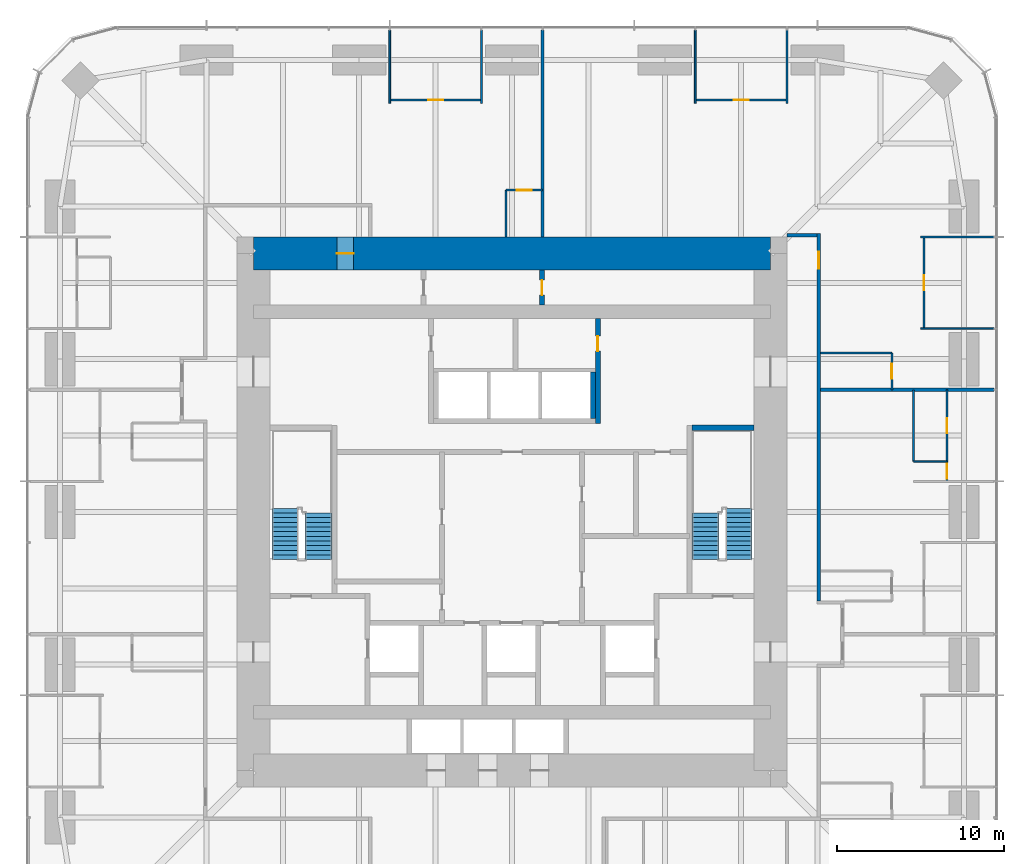
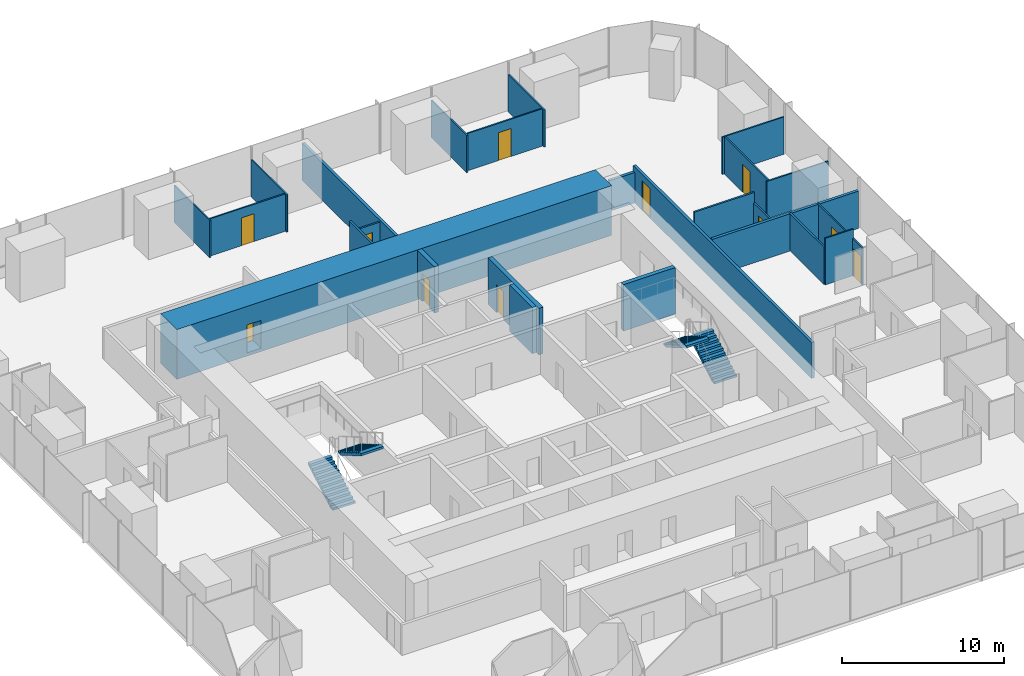
# One storey, part 12 of 13: 25 walls, 11 doors, 4 stair flights, 11 openings, 2 elements without a shape of their own.
"""IFC4 building model written with IfcOpenShell, lengths in metres."""

from ifc_helpers import new_model, si_unit, direction, frame, frame_2d, origin, place, context, subcontext, project, spatial, polyline, rectangle, outline, extrude, material, layer, layer_set, type_object, element, fill, aggregate, save


model = new_model("IFC4")

# Units and contexts
model_context = context("Model", 3, precision=1e-05, world=origin(), true_north=direction((0.0, 1.0)))
body_context = subcontext(model_context, "Body", "Model", "MODEL_VIEW")
ifc_project = project(units=[si_unit("LENGTHUNIT", "METRE"), si_unit("AREAUNIT", "SQUARE_METRE"), si_unit("VOLUMEUNIT", "CUBIC_METRE"), si_unit("PLANEANGLEUNIT", "RADIAN"), si_unit("MASSUNIT", "GRAM", prefix="KILO")], contexts=[model_context])

# Site, building, storey
site_placement = place(None, origin())
site = spatial("IfcSite", under=ifc_project, at=site_placement, CompositionType="ELEMENT")
building_placement = place(site_placement, origin())
building = spatial("IfcBuilding", under=site, at=building_placement, Name="Khuree Lantern Residences", CompositionType="ELEMENT")
storey_placement = place(building_placement, frame((0.0, 0.0, 122.25)))
storey = spatial("IfcBuildingStorey", under=building, at=storey_placement, Name="L30", CompositionType="ELEMENT", Elevation=122.25)

# Wall
ifc_material_1 = material(Name="Moisture-resistant gypsum board on steel studs", Category="steel")
ifc_layer_1 = layer(ifc_material_1, 0.125)
ifc_layer_set_1 = layer_set([ifc_layer_1], Name="BATHROOM WALL BTW125")
wall_type_1 = type_object("IfcWallType", Name="BATHROOM WALL BTW125", PredefinedType="PARTITIONING", material=ifc_layer_set_1)
wall_1_placement = place(storey_placement, frame((24.079833984375, 3.031982421875, 0.0), z_axis=(0.0, 0.0, 1.0), x_axis=(0.0, 1.0, 0.0)))
element("IfcWall", 1, at=wall_1_placement, inside=storey, type_object=wall_type_1, Name="L30 BATHROOM WALL 01", PredefinedType="PARTITIONING", context=body_context, shape_type="SweptSolid", body=[
    extrude(rectangle(XDim=4.2958984375, YDim=0.125, at=frame_2d((2.14794921875, 0.0))), origin(), (0.0, 0.0, 1.0), 2.81005859375),
])

# Wall, opening, door
wall_2_placement = place(storey_placement, frame((22.77978515625, 7.327880859375, 0.0), z_axis=(0.0, 0.0, 1.0), x_axis=(0.0, 1.0, 0.0)))
wall_2 = element("IfcWall", 2, at=wall_2_placement, inside=storey, type_object=wall_type_1, Name="L30 BATHROOM WALL 02", PredefinedType="PARTITIONING", context=body_context, shape_type="SweptSolid", body=[
    extrude(rectangle(XDim=2.2001953125, YDim=0.125, at=frame_2d((1.10009765625, 0.0))), origin(), (0.0, 0.0, 1.0), 2.699951171875),
])
opening_1_placement = place(wall_2_placement, frame((0.64990234375, 0.0, 0.0)))
opening_1 = element("IfcOpeningElement", 3, at=opening_1_placement, cuts=wall_2, Name="Opening 30-033", PredefinedType="OPENING", context=body_context, shape_type="SweptSolid", body=[
    extrude(rectangle(XDim=0.89990234375, YDim=2.10009765625, at=frame_2d((0.449951171875, 1.050048828125))), frame((0.0, 0.072509765625, 0.0), z_axis=(0.0, -1.0, 0.0), x_axis=(1.0, 0.0, 0.0)), (0.0, 0.0, 1.0), 0.14501953125),
])
ifc_material_2 = material(Name="Timber door leaf in hardwood frame", Category="wood")
door_type_1 = type_object("IfcDoorType", Name="BATHROOM DOOR 900X2100", OperationType="SINGLE_SWING_LEFT", PredefinedType="DOOR", material=ifc_material_2)
door_1_placement = place(opening_1_placement, origin())
door_1 = element("IfcDoor", 4, at=door_1_placement, inside=storey, type_object=door_type_1, Name="Bathroom door 30-033", OperationType="SINGLE_SWING_LEFT", OverallHeight=2.10009765625, OverallWidth=0.89990234375, PredefinedType="DOOR", context=body_context, shape_type="SweptSolid", body=[
    extrude(rectangle(XDim=0.89990234375, YDim=2.10009765625, at=frame_2d((0.449951171875, 1.050048828125))), frame((0.0, 0.02490234375, 0.0), z_axis=(0.0, -1.0, 0.0), x_axis=(1.0, 0.0, 0.0)), (0.0, 0.0, 1.0), 0.050048828125),
])
fill(opening_1, door_1)

# Wall
wall_3_placement = place(storey_placement, frame((18.5, 9.528076171875, 0.0), z_axis=(0.0, 0.0, 1.0), x_axis=(1.0, 0.0, 0.0)))
element("IfcWall", 5, at=wall_3_placement, inside=storey, type_object=wall_type_1, Name="L30 BATHROOM WALL 02", PredefinedType="PARTITIONING", context=body_context, shape_type="SweptSolid", body=[
    extrude(rectangle(XDim=4.27978515625, YDim=0.125, at=frame_2d((2.139892578125, 0.0))), origin(), (0.0, 0.0, 1.0), 3.5),
])

# Wall, opening, door
wall_4_placement = place(storey_placement, frame((1.83203125, 19.300048828125, 0.0), z_axis=(0.0, 0.0, 1.0), x_axis=(-1.0, 0.0, 0.0)))
wall_4 = element("IfcWall", 6, at=wall_4_placement, inside=storey, type_object=wall_type_1, Name="L30 BATHROOM WALL 03", PredefinedType="PARTITIONING", context=body_context, shape_type="SweptSolid", body=[
    extrude(rectangle(XDim=2.199951171875, YDim=0.125, at=frame_2d((1.10009765625, 0.0))), origin(), (0.0, 0.0, 1.0), 2.699951171875),
])
opening_2_placement = place(wall_4_placement, frame((0.64990234375, 0.0, 0.0)))
opening_2 = element("IfcOpeningElement", 7, at=opening_2_placement, cuts=wall_4, Name="Opening 30-038", PredefinedType="OPENING", context=body_context, shape_type="SweptSolid", body=[
    extrude(rectangle(XDim=0.89990234375, YDim=2.10009765625, at=frame_2d((0.449951171875, 1.050048828125))), frame((0.0, 0.072509765625, 0.0), z_axis=(0.0, -1.0, 0.0), x_axis=(1.0, 0.0, 0.0)), (0.0, 0.0, 1.0), 0.14501953125),
])
door_2_placement = place(opening_2_placement, origin())
door_2 = element("IfcDoor", 8, at=door_2_placement, inside=storey, type_object=door_type_1, Name="Bathroom door 30-038", OperationType="SINGLE_SWING_LEFT", OverallHeight=2.10009765625, OverallWidth=0.89990234375, PredefinedType="DOOR", context=body_context, shape_type="SweptSolid", body=[
    extrude(rectangle(XDim=0.89990234375, YDim=2.10009765625, at=frame_2d((0.449951171875, 1.050048828125))), frame((0.0, 0.02490234375, 0.0), z_axis=(0.0, -1.0, 0.0), x_axis=(1.0, 0.0, 0.0)), (0.0, 0.0, 1.0), 0.050048828125),
])
fill(opening_2, door_2)

# Walls
wall_5_placement = place(storey_placement, frame((-0.367919921875, 16.5, 0.0), z_axis=(0.0, 0.0, 1.0), x_axis=(0.0, 1.0, 0.0)))
element("IfcWall", 9, at=wall_5_placement, inside=storey, type_object=wall_type_1, Name="L30 BATHROOM WALL 03", PredefinedType="PARTITIONING", context=body_context, shape_type="SweptSolid", body=[
    extrude(rectangle(XDim=2.800048828125, YDim=0.125, at=frame_2d((1.39990234375, 0.0))), origin(), (0.0, 0.0, 1.0), 3.5),
])
ifc_material_3 = material(Name="Dense concrete blockwork", Category="masonry")
ifc_layer_2 = layer(ifc_material_3, 0.300048828125)
ifc_layer_set_2 = layer_set([ifc_layer_2], Name="CORE PARTITION WALL CPW300 EI 120")
wall_type_2 = type_object("IfcWallType", Name="CORE PARTITION WALL CPW300 EI 120", PredefinedType="PARTITIONING", material=ifc_layer_set_2)
wall_6_placement = place(storey_placement, frame((4.85009765625, 5.60009765625, 0.0), z_axis=(0.0, 0.0, 1.0), x_axis=(0.0, 1.0, 0.0)))
element("IfcWall", 10, at=wall_6_placement, inside=storey, type_object=wall_type_2, Name="L30 CORE WALL PHE", PredefinedType="PARTITIONING", context=body_context, shape_type="SweptSolid", body=[
    extrude(rectangle(XDim=2.7998046875, YDim=0.300048828125, at=frame_2d((1.39990234375, 0.0))), origin(), (0.0, 0.0, 1.0), 3.5),
])

# Wall, opening, door
wall_7_placement = place(storey_placement, frame((5.14990234375, 5.300048828125, 0.0), z_axis=(0.0, 0.0, 1.0), x_axis=(0.0, 1.0, 0.0)))
wall_7 = element("IfcWall", 11, at=wall_7_placement, inside=storey, type_object=wall_type_2, Name="L30 CORE WALL NE", PredefinedType="PARTITIONING", context=body_context, shape_type="SweptSolid", body=[
    extrude(rectangle(XDim=6.300048828125, YDim=0.300048828125, at=frame_2d((3.14990234375, 0.0))), origin(), (0.0, 0.0, 1.0), 3.5),
])
opening_3_placement = place(wall_7_placement, frame((4.35009765625, 0.0, 0.0)))
opening_3 = element("IfcOpeningElement", 12, at=opening_3_placement, cuts=wall_7, Name="Opening 30-022", PredefinedType="OPENING", context=body_context, shape_type="SweptSolid", body=[
    extrude(rectangle(XDim=0.89990234375, YDim=2.10009765625, at=frame_2d((0.449951171875, 1.050048828125))), frame((0.0, 0.16015625, 0.0), z_axis=(0.0, -1.0, 0.0), x_axis=(1.0, 0.0, 0.0)), (0.0, 0.0, 1.0), 0.320068359375),
])
door_type_2 = type_object("IfcDoorType", Name="DOOR 900X2100", OperationType="SINGLE_SWING_LEFT", PredefinedType="DOOR", material=ifc_material_2)
door_3_placement = place(opening_3_placement, origin())
door_3 = element("IfcDoor", 13, at=door_3_placement, inside=storey, type_object=door_type_2, Name="Housekeeping store door 30-022", OperationType="SINGLE_SWING_LEFT", OverallHeight=2.10009765625, OverallWidth=0.89990234375, PredefinedType="DOOR", context=body_context, shape_type="SweptSolid", body=[
    extrude(rectangle(XDim=0.89990234375, YDim=2.10009765625, at=frame_2d((0.449951171875, 1.050048828125))), frame((0.0, 0.02490234375, 0.0), z_axis=(0.0, -1.0, 0.0), x_axis=(1.0, 0.0, 0.0)), (0.0, 0.0, 1.0), 0.050048828125),
])
fill(opening_3, door_3)

wall_8_placement = place(storey_placement, frame((1.800048828125, 12.39990234375, 0.0), z_axis=(0.0, 0.0, 1.0), x_axis=(0.0, 1.0, 0.0)))
wall_8 = element("IfcWall", 14, at=wall_8_placement, inside=storey, type_object=wall_type_2, Name="L30 CORE WALL PLY", PredefinedType="PARTITIONING", context=body_context, shape_type="SweptSolid", body=[
    extrude(rectangle(XDim=2.10009765625, YDim=0.300048828125, at=frame_2d((1.050048828125, 0.0))), origin(), (0.0, 0.0, 1.0), 3.5),
])
opening_4_placement = place(wall_8_placement, frame((0.60009765625, 0.0, 0.0)))
opening_4 = element("IfcOpeningElement", 15, at=opening_4_placement, cuts=wall_8, Name="Opening 30-024", PredefinedType="OPENING", context=body_context, shape_type="SweptSolid", body=[
    extrude(rectangle(XDim=0.89990234375, YDim=2.10009765625, at=frame_2d((0.449951171875, 1.050048828125))), frame((0.0, 0.16015625, 0.0), z_axis=(0.0, -1.0, 0.0), x_axis=(1.0, 0.0, 0.0)), (0.0, 0.0, 1.0), 0.320068359375),
])
door_4_placement = place(opening_4_placement, origin())
door_4 = element("IfcDoor", 16, at=door_4_placement, inside=storey, type_object=door_type_2, Name="Store door 30-024", OperationType="SINGLE_SWING_LEFT", OverallHeight=2.10009765625, OverallWidth=0.89990234375, PredefinedType="DOOR", context=body_context, shape_type="SweptSolid", body=[
    extrude(rectangle(XDim=0.89990234375, YDim=2.10009765625, at=frame_2d((0.449951171875, 1.050048828125))), frame((0.0, 0.02490234375, 0.0), z_axis=(0.0, -1.0, 0.0), x_axis=(1.0, 0.0, 0.0)), (0.0, 0.0, 1.0), 0.050048828125),
])
fill(opening_4, door_4)

# Wall
ifc_material_4 = material(Name="Gypsum board on steel studs", Category="steel")
ifc_layer_3 = layer(ifc_material_4, 0.199951171875)
ifc_layer_set_3 = layer_set([ifc_layer_3], Name="CORRIDOR WALL CRW200 EI 60")
wall_type_3 = type_object("IfcWallType", Name="CORRIDOR WALL CRW200 EI 60", PredefinedType="PARTITIONING", material=ifc_layer_set_3)
wall_9_placement = place(storey_placement, frame((16.5, 16.60009765625, 0.0), z_axis=(0.0, 0.0, 1.0), x_axis=(1.0, 0.0, 0.0)))
element("IfcWall", 17, at=wall_9_placement, inside=storey, type_object=wall_type_3, Name="L30 EAST CORRIDOR NORTH END WALL", PredefinedType="PARTITIONING", context=body_context, shape_type="SweptSolid", body=[
    extrude(rectangle(XDim=1.800048828125, YDim=0.199951171875, at=frame_2d((0.89990234375, 0.0))), origin(), (0.0, 0.0, 1.0), 2.300048828125),
])

# Wall, opening, door
wall_10_placement = place(storey_placement, frame((18.39990234375, -5.327880859375, 0.0), z_axis=(0.0, 0.0, 1.0), x_axis=(0.0, 1.0, 0.0)))
wall_10 = element("IfcWall", 18, at=wall_10_placement, inside=storey, type_object=wall_type_3, Name="L30 CORRIDOR WALL EAST 2", PredefinedType="PARTITIONING", context=body_context, shape_type="SweptSolid", body=[
    extrude(rectangle(XDim=22.02783203125, YDim=0.199951171875, at=frame_2d((11.013916015625, 0.0))), origin(), (0.0, 0.0, 1.0), 2.699951171875),
])
opening_5_placement = place(wall_10_placement, frame((19.926025390625, 0.0, 0.0)))
opening_5 = element("IfcOpeningElement", 19, at=opening_5_placement, cuts=wall_10, Name="Opening 30-034", PredefinedType="OPENING", context=body_context, shape_type="SweptSolid", body=[
    extrude(rectangle(XDim=1.0, YDim=2.199951171875, at=frame_2d((0.5, 1.10009765625))), frame((0.0, 0.10986328125, 0.0), z_axis=(0.0, -1.0, 0.0), x_axis=(1.0, 0.0, 0.0)), (0.0, 0.0, 1.0), 0.219970703125),
])
door_type_3 = type_object("IfcDoorType", Name="APARTMENT ENTRANCE DOOR 1000X2200 EI 30S RIGHT HAND", OperationType="SINGLE_SWING_RIGHT", PredefinedType="DOOR", material=ifc_material_2)
door_5_placement = place(opening_5_placement, origin())
door_5 = element("IfcDoor", 20, at=door_5_placement, inside=storey, type_object=door_type_3, Name="Apartment 02 entrance door 30-034", OperationType="SINGLE_SWING_RIGHT", OverallHeight=2.199951171875, OverallWidth=1.0, PredefinedType="DOOR", context=body_context, shape_type="SweptSolid", body=[
    extrude(rectangle(XDim=1.0, YDim=2.199951171875, at=frame_2d((0.5, 1.10009765625))), frame((0.0, 0.02490234375, 0.0), z_axis=(0.0, -1.0, 0.0), x_axis=(1.0, 0.0, 0.0)), (0.0, 0.0, 1.0), 0.050048828125),
])
fill(opening_5, door_5)

ifc_material_5 = material(Name="Concrete C70/85", Category="concrete")
ifc_layer_4 = layer(ifc_material_5, 2.0)
ifc_layer_set_4 = layer_set([ifc_layer_4], Name="CW2000-C70 CORE WALL C70 2000")
wall_type_4 = type_object("IfcWallType", Name="CW2000-C70 CORE WALL C70 2000", PredefinedType="SHEAR", material=ifc_layer_set_4)
wall_11_placement = place(storey_placement, frame((-15.5, 15.5, -0.25), z_axis=(0.0, 0.0, 1.0), x_axis=(1.0, 0.0, 0.0)))
wall_11 = element("IfcWall", 21, at=wall_11_placement, inside=storey, type_object=wall_type_4, Name="Core wall N", PredefinedType="SHEAR", context=body_context, shape_type="SweptSolid", body=[
    extrude(rectangle(XDim=31.0, YDim=2.0, at=frame_2d((15.5, 0.0))), origin(), (0.0, 0.0, 1.0), 3.75),
])
opening_6_placement = place(wall_11_placement, frame((5.0, 0.0, 0.25)))
opening_6 = element("IfcOpeningElement", 22, at=opening_6_placement, cuts=wall_11, Name="Opening 30-025", PredefinedType="OPENING", context=body_context, shape_type="SweptSolid", body=[
    extrude(rectangle(XDim=1.0, YDim=2.10009765625, at=frame_2d((0.5, 1.050048828125))), frame((0.0, 1.010009765625, 0.0), z_axis=(0.0, -1.0, 0.0), x_axis=(1.0, 0.0, 0.0)), (0.0, 0.0, 1.0), 2.02001953125),
])
ifc_material_6 = material(Name="Steel door leaf in steel frame", Category="steel")
door_type_4 = type_object("IfcDoorType", Name="DOOR 1000X2100 EI 60 RIGHT HAND", OperationType="SINGLE_SWING_RIGHT", PredefinedType="DOOR", material=ifc_material_6)
door_6_placement = place(opening_6_placement, origin())
door_6 = element("IfcDoor", 23, at=door_6_placement, inside=storey, type_object=door_type_4, Name="Residents' store door 30-025", OperationType="SINGLE_SWING_RIGHT", OverallHeight=2.10009765625, OverallWidth=1.0, PredefinedType="DOOR", context=body_context, shape_type="SweptSolid", body=[
    extrude(rectangle(XDim=1.0, YDim=2.10009765625, at=frame_2d((0.5, 1.050048828125))), frame((0.0, 0.02490234375, 0.0), z_axis=(0.0, -1.0, 0.0), x_axis=(1.0, 0.0, 0.0)), (0.0, 0.0, 1.0), 0.050048828125),
])
fill(opening_6, door_6)

# Walls
ifc_layer_5 = layer(ifc_material_4, 0.199951171875)
ifc_layer_set_5 = layer_set([ifc_layer_5], Name="DEMISING WALL DMW200 EI 90")
wall_type_5 = type_object("IfcWallType", Name="DEMISING WALL DMW200 EI 90", PredefinedType="PARTITIONING", material=ifc_layer_set_5)
wall_12_placement = place(storey_placement, frame((18.5, 7.327880859375, 0.0), z_axis=(0.0, 0.0, 1.0), x_axis=(1.0, 0.0, 0.0)))
element("IfcWall", 24, at=wall_12_placement, inside=storey, type_object=wall_type_5, Name="L30 DEMISING WALL 02", PredefinedType="PARTITIONING", context=body_context, shape_type="SweptSolid", body=[
    extrude(rectangle(XDim=10.39990234375, YDim=0.199951171875, at=frame_2d((5.199951171875, 0.0))), origin(), (0.0, 0.0, 1.0), 2.81005859375),
])
wall_13_placement = place(storey_placement, frame((1.83203125, 16.5, 0.0), z_axis=(0.0, 0.0, 1.0), x_axis=(0.0, 1.0, 0.0)))
element("IfcWall", 25, at=wall_13_placement, inside=storey, type_object=wall_type_5, Name="L30 DEMISING WALL 03", PredefinedType="PARTITIONING", context=body_context, shape_type="SweptSolid", body=[
    extrude(rectangle(XDim=12.39990234375, YDim=0.199951171875, at=frame_2d((6.199951171875, 0.0))), origin(), (0.0, 0.0, 1.0), 2.81005859375),
])
ifc_layer_6 = layer(ifc_material_4, 0.10009765625)
ifc_layer_set_6 = layer_set([ifc_layer_6], Name="PARTITION PT100")
wall_type_6 = type_object("IfcWallType", Name="PARTITION PT100", PredefinedType="PARTITIONING", material=ifc_layer_set_6)
for number, where, z_axis, x_axis, name in (
    (26, (24.5, 10.991943359375, 0.0), (0.0, 0.0, 1.0), (1.0, 0.0, 0.0), "L30 PARTITION 02"),
    (27, (24.5, 16.488037109375, 0.0), (0.0, 0.0, 1.0), (1.0, 0.0, 0.0), "L30 PARTITION 02"),
    (28, (16.488037109375, 24.5, 0.0), (0.0, 0.0, 1.0), (0.0, 1.0, 0.0), "L30 PARTITION 02"),
    (29, (10.991943359375, 24.5, 0.0), (0.0, 0.0, 1.0), (0.0, 1.0, 0.0), "L30 PARTITION 02"),
    (30, (-1.83203125, 24.5, 0.0), (0.0, 0.0, 1.0), (0.0, 1.0, 0.0), "L30 PARTITION 03"),
    (31, (-7.327880859375, 24.5, 0.0), (0.0, 0.0, 1.0), (0.0, 1.0, 0.0), "L30 PARTITION 03"),
):
    element("IfcWall", number, at=place(storey_placement, frame(where, z_axis=z_axis, x_axis=x_axis)), inside=storey, type_object=wall_type_6, Name=name, PredefinedType="PARTITIONING", context=body_context, shape_type="SweptSolid", body=[
        extrude(rectangle(XDim=4.39990234375, YDim=0.10009765625, at=frame_2d((2.199951171875, 0.0))), origin(), (0.0, 0.0, 1.0), 2.81005859375),
    ])

# Wall, openings, doors
wall_14_placement = place(storey_placement, frame((26.079833984375, 1.83203125, 0.0), z_axis=(0.0, 0.0, 1.0), x_axis=(0.0, 1.0, 0.0)))
wall_14 = element("IfcWall", 32, at=wall_14_placement, inside=storey, type_object=wall_type_6, Name="L30 PARTITION 01", PredefinedType="PARTITIONING", context=body_context, shape_type="SweptSolid", body=[
    extrude(rectangle(XDim=5.495849609375, YDim=0.10009765625, at=frame_2d((2.748046875, 0.0))), origin(), (0.0, 0.0, 1.0), 2.81005859375),
])
opening_7_placement = place(wall_14_placement, frame((0.14990234375, 0.0, 0.0)))
opening_7 = element("IfcOpeningElement", 33, at=opening_7_placement, cuts=wall_14, Name="Opening 30-027", PredefinedType="OPENING", context=body_context, shape_type="SweptSolid", body=[
    extrude(rectangle(XDim=0.89990234375, YDim=2.10009765625, at=frame_2d((0.449951171875, 1.050048828125))), frame((0.0, 0.06005859375, 0.0), z_axis=(0.0, -1.0, 0.0), x_axis=(1.0, 0.0, 0.0)), (0.0, 0.0, 1.0), 0.1201171875),
])
opening_8_placement = place(wall_14_placement, frame((2.89794921875, 0.0, 0.0)))
opening_8 = element("IfcOpeningElement", 34, at=opening_8_placement, cuts=wall_14, Name="Opening 30-028", PredefinedType="OPENING", context=body_context, shape_type="SweptSolid", body=[
    extrude(rectangle(XDim=0.89990234375, YDim=2.10009765625, at=frame_2d((0.449951171875, 1.050048828125))), frame((0.0, 0.06005859375, 0.0), z_axis=(0.0, -1.0, 0.0), x_axis=(1.0, 0.0, 0.0)), (0.0, 0.0, 1.0), 0.1201171875),
])
door_7_placement = place(opening_8_placement, origin())
door_7 = element("IfcDoor", 35, at=door_7_placement, inside=storey, type_object=door_type_1, Name="Bathroom door 30-028", OperationType="SINGLE_SWING_LEFT", OverallHeight=2.10009765625, OverallWidth=0.89990234375, PredefinedType="DOOR", context=body_context, shape_type="SweptSolid", body=[
    extrude(rectangle(XDim=0.89990234375, YDim=2.10009765625, at=frame_2d((0.449951171875, 1.050048828125))), frame((0.0, 0.02490234375, 0.0), z_axis=(0.0, -1.0, 0.0), x_axis=(1.0, 0.0, 0.0)), (0.0, 0.0, 1.0), 0.050048828125),
])
fill(opening_8, door_7)
door_type_5 = type_object("IfcDoorType", Name="BEDROOM DOOR 900X2100", OperationType="SINGLE_SWING_LEFT", PredefinedType="DOOR", material=ifc_material_2)
door_8_placement = place(opening_7_placement, origin())
door_8 = element("IfcDoor", 36, at=door_8_placement, inside=storey, type_object=door_type_5, Name="Bedroom door 30-027", OperationType="SINGLE_SWING_LEFT", OverallHeight=2.10009765625, OverallWidth=0.89990234375, PredefinedType="DOOR", context=body_context, shape_type="SweptSolid", body=[
    extrude(rectangle(XDim=0.89990234375, YDim=2.10009765625, at=frame_2d((0.449951171875, 1.050048828125))), frame((0.0, 0.02490234375, 0.0), z_axis=(0.0, -1.0, 0.0), x_axis=(1.0, 0.0, 0.0)), (0.0, 0.0, 1.0), 0.050048828125),
])
fill(opening_7, door_8)

# Wall
wall_15_placement = place(storey_placement, frame((24.079833984375, 3.031982421875, 0.0), z_axis=(0.0, 0.0, 1.0), x_axis=(1.0, 0.0, 0.0)))
element("IfcWall", 37, at=wall_15_placement, inside=storey, type_object=wall_type_6, Name="L30 PARTITION 01", PredefinedType="PARTITIONING", context=body_context, shape_type="SweptSolid", body=[
    extrude(rectangle(XDim=2.0, YDim=0.10009765625, at=frame_2d((1.0, 0.0))), origin(), (0.0, 0.0, 1.0), 3.5),
])

# Wall, opening, door
wall_16_placement = place(storey_placement, frame((24.699951171875, 10.991943359375, 0.0), z_axis=(0.0, 0.0, 1.0), x_axis=(0.0, 1.0, 0.0)))
wall_16 = element("IfcWall", 38, at=wall_16_placement, inside=storey, type_object=wall_type_6, Name="L30 PARTITION 02", PredefinedType="PARTITIONING", context=body_context, shape_type="SweptSolid", body=[
    extrude(rectangle(XDim=5.49609375, YDim=0.10009765625, at=frame_2d((2.748046875, 0.0))), origin(), (0.0, 0.0, 1.0), 2.81005859375),
])
opening_9_placement = place(wall_16_placement, frame((2.298095703125, 0.0, 0.0)))
opening_9 = element("IfcOpeningElement", 39, at=opening_9_placement, cuts=wall_16, Name="Opening 30-031", PredefinedType="OPENING", context=body_context, shape_type="SweptSolid", body=[
    extrude(rectangle(XDim=0.89990234375, YDim=2.10009765625, at=frame_2d((0.449951171875, 1.050048828125))), frame((0.0, 0.06005859375, 0.0), z_axis=(0.0, -1.0, 0.0), x_axis=(1.0, 0.0, 0.0)), (0.0, 0.0, 1.0), 0.1201171875),
])
door_9_placement = place(opening_9_placement, origin())
door_9 = element("IfcDoor", 40, at=door_9_placement, inside=storey, type_object=door_type_5, Name="Bedroom door 30-031", OperationType="SINGLE_SWING_LEFT", OverallHeight=2.10009765625, OverallWidth=0.89990234375, PredefinedType="DOOR", context=body_context, shape_type="SweptSolid", body=[
    extrude(rectangle(XDim=0.89990234375, YDim=2.10009765625, at=frame_2d((0.449951171875, 1.050048828125))), frame((0.0, 0.02490234375, 0.0), z_axis=(0.0, -1.0, 0.0), x_axis=(1.0, 0.0, 0.0)), (0.0, 0.0, 1.0), 0.050048828125),
])
fill(opening_9, door_9)

wall_17_placement = place(storey_placement, frame((16.488037109375, 24.699951171875, 0.0), z_axis=(0.0, 0.0, 1.0), x_axis=(-1.0, 0.0, 0.0)))
wall_17 = element("IfcWall", 41, at=wall_17_placement, inside=storey, type_object=wall_type_6, Name="L30 PARTITION 02", PredefinedType="PARTITIONING", context=body_context, shape_type="SweptSolid", body=[
    extrude(rectangle(XDim=5.49609375, YDim=0.10009765625, at=frame_2d((2.748046875, 0.0))), origin(), (0.0, 0.0, 1.0), 2.81005859375),
])
opening_10_placement = place(wall_17_placement, frame((2.298095703125, 0.0, 0.0)))
opening_10 = element("IfcOpeningElement", 42, at=opening_10_placement, cuts=wall_17, Name="Opening 30-032", PredefinedType="OPENING", context=body_context, shape_type="SweptSolid", body=[
    extrude(rectangle(XDim=0.89990234375, YDim=2.10009765625, at=frame_2d((0.449951171875, 1.050048828125))), frame((0.0, 0.06005859375, 0.0), z_axis=(0.0, -1.0, 0.0), x_axis=(1.0, 0.0, 0.0)), (0.0, 0.0, 1.0), 0.1201171875),
])
door_10_placement = place(opening_10_placement, origin())
door_10 = element("IfcDoor", 43, at=door_10_placement, inside=storey, type_object=door_type_5, Name="Bedroom door 30-032", OperationType="SINGLE_SWING_LEFT", OverallHeight=2.10009765625, OverallWidth=0.89990234375, PredefinedType="DOOR", context=body_context, shape_type="SweptSolid", body=[
    extrude(rectangle(XDim=0.89990234375, YDim=2.10009765625, at=frame_2d((0.449951171875, 1.050048828125))), frame((0.0, 0.02490234375, 0.0), z_axis=(0.0, -1.0, 0.0), x_axis=(1.0, 0.0, 0.0)), (0.0, 0.0, 1.0), 0.050048828125),
])
fill(opening_10, door_10)

wall_18_placement = place(storey_placement, frame((-1.83203125, 24.699951171875, 0.0), z_axis=(0.0, 0.0, 1.0), x_axis=(-1.0, 0.0, 0.0)))
wall_18 = element("IfcWall", 44, at=wall_18_placement, inside=storey, type_object=wall_type_6, Name="L30 PARTITION 03", PredefinedType="PARTITIONING", context=body_context, shape_type="SweptSolid", body=[
    extrude(rectangle(XDim=5.495849609375, YDim=0.10009765625, at=frame_2d((2.748046875, 0.0))), origin(), (0.0, 0.0, 1.0), 2.81005859375),
])
opening_11_placement = place(wall_18_placement, frame((2.298095703125, 0.0, 0.0)))
opening_11 = element("IfcOpeningElement", 45, at=opening_11_placement, cuts=wall_18, Name="Opening 30-035", PredefinedType="OPENING", context=body_context, shape_type="SweptSolid", body=[
    extrude(rectangle(XDim=0.89990234375, YDim=2.10009765625, at=frame_2d((0.449951171875, 1.050048828125))), frame((0.0, 0.06005859375, 0.0), z_axis=(0.0, -1.0, 0.0), x_axis=(1.0, 0.0, 0.0)), (0.0, 0.0, 1.0), 0.1201171875),
])
door_11_placement = place(opening_11_placement, origin())
door_11 = element("IfcDoor", 46, at=door_11_placement, inside=storey, type_object=door_type_5, Name="Bedroom door 30-035", OperationType="SINGLE_SWING_LEFT", OverallHeight=2.10009765625, OverallWidth=0.89990234375, PredefinedType="DOOR", context=body_context, shape_type="SweptSolid", body=[
    extrude(rectangle(XDim=0.89990234375, YDim=2.10009765625, at=frame_2d((0.449951171875, 1.050048828125))), frame((0.0, 0.02490234375, 0.0), z_axis=(0.0, -1.0, 0.0), x_axis=(1.0, 0.0, 0.0)), (0.0, 0.0, 1.0), 0.050048828125),
])
fill(opening_11, door_11)

# Wall
ifc_material_7 = material(Name="Concrete C50/60", Category="concrete")
ifc_layer_7 = layer(ifc_material_7, 0.300048828125)
ifc_layer_set_7 = layer_set([ifc_layer_7], Name="STAIR WALL SRW300 C50/60 REI 240")
wall_type_7 = type_object("IfcWallType", Name="STAIR WALL SRW300 C50/60 REI 240", PredefinedType="SOLIDWALL", material=ifc_layer_set_7)
wall_19_placement = place(storey_placement, frame((14.5, 5.050048828125, 0.0), z_axis=(0.0, 0.0, 1.0), x_axis=(-1.0, 0.0, 0.0)))
element("IfcWall", 47, at=wall_19_placement, inside=storey, type_object=wall_type_7, Name="L30 STAIR WALL ST2N", PredefinedType="SOLIDWALL", context=body_context, shape_type="SweptSolid", body=[
    extrude(rectangle(XDim=3.699951171875, YDim=0.300048828125, at=frame_2d((1.85009765625, 0.0))), origin(), (0.0, 0.0, 1.0), 3.5),
])

# Stair, stair flights
ifc_material_8 = material(Name="Concrete C40/50", Category="concrete")
stair_type = type_object("IfcStairType", Name="STAIR ST1 HALF TURN 3600", PredefinedType="HALF_TURN_STAIR", material=ifc_material_8)
stair_1_placement = place(storey_placement, origin())
stair_1 = element("IfcStair", 48, at=stair_1_placement, inside=storey, type_object=stair_type, Name="Stair ST1", PredefinedType="HALF_TURN_STAIR")
stair_flight_type = type_object("IfcStairFlightType", Name="STAIR FLIGHT SF1 1600", PredefinedType="STRAIGHT", material=ifc_material_8)
stair_flight_1_placement = place(storey_placement, frame((-13.60009765625, -2.860107421875, 0.0), z_axis=(0.0, 0.0, 1.0), x_axis=(0.0, 1.0, 0.0)))
stair_flight_1 = element("IfcStairFlight", 49, at=stair_flight_1_placement, type_object=stair_flight_type, Name="ST1 flight 1", NumberOfRisers=12, NumberOfTreads=11, PredefinedType="STRAIGHT", RiserHeight=0.163043478, TreadLength=0.28, context=body_context, shape_type="SweptSolid", body=[
    extrude(outline(polyline([(0.0, 0.0), (0.0, 0.1630859375), (0.280029296875, 0.1630859375), (0.280029296875, 0.326171875), (0.56005859375, 0.326171875), (0.56005859375, 0.489013671875), (0.840087890625, 0.489013671875), (0.840087890625, 0.652099609375), (1.1201171875, 0.652099609375), (1.1201171875, 0.815185546875), (1.39990234375, 0.815185546875), (1.39990234375, 0.978271484375), (1.679931640625, 0.978271484375), (1.679931640625, 1.141357421875), (1.9599609375, 1.141357421875), (1.9599609375, 1.304443359375), (2.239990234375, 1.304443359375), (2.239990234375, 1.46728515625), (2.52001953125, 1.46728515625), (2.52001953125, 1.63037109375), (2.800048828125, 1.63037109375), (2.800048828125, 1.79345703125), (3.080078125, 1.79345703125), (3.080078125, 1.95654296875), (3.080078125, 1.6201171875), (0.2978515625, 0.0), (0.0, 0.0)])), frame((0.0, 0.800048828125, 0.0), z_axis=(0.0, -1.0, 0.0), x_axis=(1.0, 0.0, 0.0)), (0.0, 0.0, 1.0), 1.60009765625),
])
stair_flight_2_placement = place(storey_placement, frame((-11.60009765625, -0.06005859375, 1.95654296875), z_axis=(0.0, 0.0, 1.0), x_axis=(0.0, -1.0, 0.0)))
stair_flight_2 = element("IfcStairFlight", 50, at=stair_flight_2_placement, type_object=stair_flight_type, Name="ST1 flight 2", NumberOfRisers=11, NumberOfTreads=10, PredefinedType="STRAIGHT", RiserHeight=0.163043478, TreadLength=0.28, context=body_context, shape_type="SweptSolid", body=[
    extrude(outline(polyline([(0.0, 0.0), (0.0, 0.1630859375), (0.280029296875, 0.1630859375), (0.280029296875, 0.326171875), (0.56005859375, 0.326171875), (0.56005859375, 0.489013671875), (0.840087890625, 0.489013671875), (0.840087890625, 0.652099609375), (1.1201171875, 0.652099609375), (1.1201171875, 0.815185546875), (1.39990234375, 0.815185546875), (1.39990234375, 0.978271484375), (1.679931640625, 0.978271484375), (1.679931640625, 1.141357421875), (1.9599609375, 1.141357421875), (1.9599609375, 1.304443359375), (2.239990234375, 1.304443359375), (2.239990234375, 1.46728515625), (2.52001953125, 1.46728515625), (2.52001953125, 1.63037109375), (2.800048828125, 1.63037109375), (2.800048828125, 1.79345703125), (2.800048828125, 1.45703125), (0.2978515625, 0.0), (0.0, 0.0)])), frame((0.0, 0.800048828125, 0.0), z_axis=(0.0, -1.0, 0.0), x_axis=(1.0, 0.0, 0.0)), (0.0, 0.0, 1.0), 1.60009765625),
])
aggregate(stair_1, [stair_flight_1, stair_flight_2])

stair_2_placement = place(storey_placement, origin())
stair_2 = element("IfcStair", 51, at=stair_2_placement, inside=storey, type_object=stair_type, Name="Stair ST2", PredefinedType="HALF_TURN_STAIR")
stair_flight_3_placement = place(storey_placement, frame((13.60009765625, -2.860107421875, 0.0), z_axis=(0.0, 0.0, 1.0), x_axis=(0.0, 1.0, 0.0)))
stair_flight_3 = element("IfcStairFlight", 52, at=stair_flight_3_placement, type_object=stair_flight_type, Name="ST2 flight 1", NumberOfRisers=12, NumberOfTreads=11, PredefinedType="STRAIGHT", RiserHeight=0.163043478, TreadLength=0.28, context=body_context, shape_type="SweptSolid", body=[
    extrude(outline(polyline([(0.0, 0.0), (0.0, 0.1630859375), (0.280029296875, 0.1630859375), (0.280029296875, 0.326171875), (0.56005859375, 0.326171875), (0.56005859375, 0.489013671875), (0.840087890625, 0.489013671875), (0.840087890625, 0.652099609375), (1.1201171875, 0.652099609375), (1.1201171875, 0.815185546875), (1.39990234375, 0.815185546875), (1.39990234375, 0.978271484375), (1.679931640625, 0.978271484375), (1.679931640625, 1.141357421875), (1.9599609375, 1.141357421875), (1.9599609375, 1.304443359375), (2.239990234375, 1.304443359375), (2.239990234375, 1.46728515625), (2.52001953125, 1.46728515625), (2.52001953125, 1.63037109375), (2.800048828125, 1.63037109375), (2.800048828125, 1.79345703125), (3.080078125, 1.79345703125), (3.080078125, 1.95654296875), (3.080078125, 1.6201171875), (0.2978515625, 0.0), (0.0, 0.0)])), frame((0.0, 0.800048828125, 0.0), z_axis=(0.0, -1.0, 0.0), x_axis=(1.0, 0.0, 0.0)), (0.0, 0.0, 1.0), 1.60009765625),
])
stair_flight_4_placement = place(storey_placement, frame((11.60009765625, -0.06005859375, 1.95654296875), z_axis=(0.0, 0.0, 1.0), x_axis=(0.0, -1.0, 0.0)))
stair_flight_4 = element("IfcStairFlight", 53, at=stair_flight_4_placement, type_object=stair_flight_type, Name="ST2 flight 2", NumberOfRisers=11, NumberOfTreads=10, PredefinedType="STRAIGHT", RiserHeight=0.163043478, TreadLength=0.28, context=body_context, shape_type="SweptSolid", body=[
    extrude(outline(polyline([(0.0, 0.0), (0.0, 0.1630859375), (0.280029296875, 0.1630859375), (0.280029296875, 0.326171875), (0.56005859375, 0.326171875), (0.56005859375, 0.489013671875), (0.840087890625, 0.489013671875), (0.840087890625, 0.652099609375), (1.1201171875, 0.652099609375), (1.1201171875, 0.815185546875), (1.39990234375, 0.815185546875), (1.39990234375, 0.978271484375), (1.679931640625, 0.978271484375), (1.679931640625, 1.141357421875), (1.9599609375, 1.141357421875), (1.9599609375, 1.304443359375), (2.239990234375, 1.304443359375), (2.239990234375, 1.46728515625), (2.52001953125, 1.46728515625), (2.52001953125, 1.63037109375), (2.800048828125, 1.63037109375), (2.800048828125, 1.79345703125), (2.800048828125, 1.45703125), (0.2978515625, 0.0), (0.0, 0.0)])), frame((0.0, 0.800048828125, 0.0), z_axis=(0.0, -1.0, 0.0), x_axis=(1.0, 0.0, 0.0)), (0.0, 0.0, 1.0), 1.60009765625),
])
aggregate(stair_2, [stair_flight_3, stair_flight_4])

save(model, "model.ifc")
